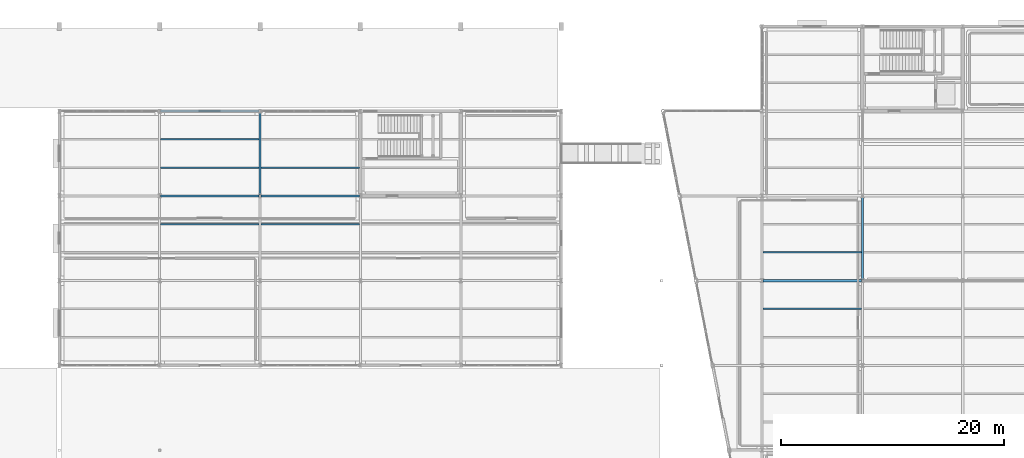
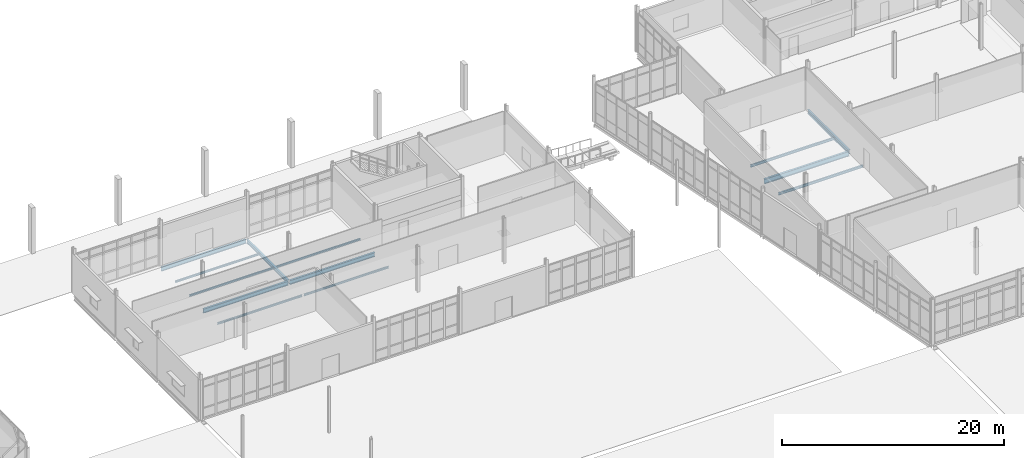
# One storey, part 90 of 161: 13 beams.
"""IFC4 building model written with IfcOpenShell, lengths in metres."""

from ifc_helpers import new_model, si_unit, direction, frame, origin, origin_2d, place, context, subcontext, project, spatial, i_section, extrude, material, material_profile, profile_set, type_object, element, save


model = new_model("IFC4")

# Units and contexts
model_context = context("Model", 3, precision=1e-05, world=origin(), true_north=direction((0.0, 1.0)))
body_context = subcontext(model_context, "Body", "Model", "MODEL_VIEW")
ifc_project = project(units=[si_unit("LENGTHUNIT", "METRE"), si_unit("AREAUNIT", "SQUARE_METRE"), si_unit("VOLUMEUNIT", "CUBIC_METRE"), si_unit("PLANEANGLEUNIT", "RADIAN"), si_unit("MASSUNIT", "GRAM", prefix="KILO")], contexts=[model_context])

# Site, building, storey
site_placement = place(None, origin())
site = spatial("IfcSite", under=ifc_project, at=site_placement, CompositionType="ELEMENT")
building_placement = place(site_placement, origin())
building = spatial("IfcBuilding", under=site, at=building_placement, Name="Caisbarro Railhouse Central Library", CompositionType="ELEMENT")
storey_placement = place(building_placement, origin())
storey = spatial("IfcBuildingStorey", under=building, at=storey_placement, Name="L00", CompositionType="ELEMENT", Elevation=0.0)

# Beams
ifc_material = material(Name="Steel ASTM A572 Grade 50", Category="steel")
ifc_material_profile_1 = material_profile(ifc_material, i_section(OverallWidth=0.208984375, OverallDepth=0.532958984375, WebThickness=0.01025390625, FlangeThickness=0.015625, FilletRadius=0.02001953125, at=origin_2d()), Name="W530X92.0")
ifc_profile_set_1 = profile_set([ifc_material_profile_1], Name="Steel ASTM A572 Grade 50")
beam_type_1 = type_object("IfcBeamType", Name="BM-G06", PredefinedType="BEAM", material=ifc_profile_set_1)
beam_1_placement = place(storey_placement, frame((117.080078125, 91.199951171875, -0.5166015625), z_axis=(1.0, 0.0, 0.0), x_axis=(0.0, 1.0, 0.0)))
element("IfcBeam", 1, at=beam_1_placement, inside=storey, type_object=beam_type_1, Name="G06 beam L00 #506", PredefinedType="BEAM", context=body_context, shape_type="SweptSolid", body=[
    extrude(i_section(OverallWidth=0.208984375, OverallDepth=0.532958984375, WebThickness=0.01025390625, FlangeThickness=0.015625, FilletRadius=0.02001953125, at=origin_2d()), origin(), (0.0, 0.0, 1.0), 8.83984375),
])
ifc_material_profile_2 = material_profile(ifc_material, i_section(OverallWidth=0.18994140625, OverallDepth=0.45703125, WebThickness=0.009033203125, FlangeThickness=0.014404296875, FilletRadius=0.01806640625, at=origin_2d()), Name="W460X74.0")
ifc_profile_set_2 = profile_set([ifc_material_profile_2], Name="Steel ASTM A572 Grade 50")
beam_type_2 = type_object("IfcBeamType", Name="BM-G08", PredefinedType="BEAM", material=ifc_profile_set_2)
beam_2_placement = place(storey_placement, frame((126.0, 91.280029296875, -0.478515625), z_axis=(0.0, 1.0, 0.0), x_axis=(-1.0, 0.0, 0.0)))
element("IfcBeam", 2, at=beam_2_placement, inside=storey, type_object=beam_type_2, Name="G08 beam L00 #533", PredefinedType="BEAM", context=body_context, shape_type="SweptSolid", body=[
    extrude(i_section(OverallWidth=0.18994140625, OverallDepth=0.45703125, WebThickness=0.009033203125, FlangeThickness=0.014404296875, FilletRadius=0.01806640625, at=origin_2d()), origin(), (0.0, 0.0, 1.0), 7.43994140625),
])
for number, where, z_axis, x_axis, name in (
    (3, (63.080078125, 98.800048828125, -0.478515625), (1.0, 0.0, 0.0), (0.0, 1.0, 0.0), "G08 beam L00 #624"),
    (4, (72.080078125, 98.800048828125, -0.478515625), (1.0, 0.0, 0.0), (0.0, 1.0, 0.0), "G08 beam L00 #625"),
):
    element("IfcBeam", number, at=place(storey_placement, frame(where, z_axis=z_axis, x_axis=x_axis)), inside=storey, type_object=beam_type_2, Name=name, PredefinedType="BEAM", context=body_context, shape_type="SweptSolid", body=[
        extrude(i_section(OverallWidth=0.18994140625, OverallDepth=0.45703125, WebThickness=0.009033203125, FlangeThickness=0.014404296875, FilletRadius=0.01806640625, at=origin_2d()), origin(), (0.0, 0.0, 1.0), 8.83984375),
    ])
ifc_material_profile_3 = material_profile(ifc_material, i_section(OverallWidth=0.177978515625, OverallDepth=0.406982421875, WebThickness=0.0078125, FlangeThickness=0.0126953125, FilletRadius=0.01611328125, at=origin_2d()), Name="W410X60.0")
ifc_profile_set_3 = profile_set([ifc_material_profile_3], Name="Steel ASTM A572 Grade 50")
beam_type_3 = type_object("IfcBeamType", Name="BM-G10", PredefinedType="BEAM", material=ifc_profile_set_3)
beam_3_placement = place(storey_placement, frame((72.0, 98.8798828125, -0.45361328125), z_axis=(0.0, 1.0, 0.0), x_axis=(-1.0, 0.0, 0.0)))
element("IfcBeam", 5, at=beam_3_placement, inside=storey, type_object=beam_type_3, Name="G10 beam L00 #641", PredefinedType="BEAM", context=body_context, shape_type="SweptSolid", body=[
    extrude(i_section(OverallWidth=0.177978515625, OverallDepth=0.406982421875, WebThickness=0.0078125, FlangeThickness=0.0126953125, FilletRadius=0.01611328125, at=origin_2d()), origin(), (0.0, 0.0, 1.0), 7.440185546875),
])
ifc_material_profile_4 = material_profile(ifc_material, i_section(OverallWidth=0.14794921875, OverallDepth=0.26611328125, WebThickness=0.007568359375, FlangeThickness=0.012939453125, FilletRadius=0.010009765625, at=origin_2d()), Name="W250X44.8")
ifc_profile_set_4 = profile_set([ifc_material_profile_4], Name="Steel ASTM A572 Grade 50")
beam_type_4 = type_object("IfcBeamType", Name="BM-J04", PredefinedType="JOIST", material=ifc_profile_set_4)
for number, where, z_axis, x_axis, name in (
    (6, (117.094970703125, 88.666748046875, -0.383056640625), (1.0, 0.0, 0.0), (0.0, 1.0, 0.0), "J04 beam L00 #564"),
    (7, (117.094970703125, 93.7333984375, -0.383056640625), (1.0, 0.0, 0.0), (0.0, 1.0, 0.0), "J04 beam L00 #565"),
):
    element("IfcBeam", number, at=place(storey_placement, frame(where, z_axis=z_axis, x_axis=x_axis)), inside=storey, type_object=beam_type_4, Name=name, PredefinedType="JOIST", context=body_context, shape_type="SweptSolid", body=[
        extrude(i_section(OverallWidth=0.14794921875, OverallDepth=0.26611328125, WebThickness=0.007568359375, FlangeThickness=0.012939453125, FilletRadius=0.010009765625, at=origin_2d()), origin(), (0.0, 0.0, 1.0), 8.81005859375),
    ])
ifc_material_profile_5 = material_profile(ifc_material, i_section(OverallWidth=0.133056640625, OverallDepth=0.20703125, WebThickness=0.005859375, FlangeThickness=0.00830078125, FilletRadius=0.010009765625, at=origin_2d()), Name="W200X26.6")
ifc_profile_set_5 = profile_set([ifc_material_profile_5], Name="Steel ASTM A572 Grade 50")
beam_type_5 = type_object("IfcBeamType", Name="BM-J07", PredefinedType="JOIST", material=ifc_profile_set_5)
for number, where, z_axis, x_axis, name in (
    (8, (63.089111328125, 96.2666015625, -0.353515625), (1.0, 0.0, 0.0), (0.0, 1.0, 0.0), "J07 beam L00 #660"),
    (9, (63.089111328125, 101.333251953125, -0.353515625), (1.0, 0.0, 0.0), (0.0, 1.0, 0.0), "J07 beam L00 #661"),
    (10, (63.089111328125, 103.86669921875, -0.353515625), (1.0, 0.0, 0.0), (0.0, 1.0, 0.0), "J07 beam L00 #662"),
    (11, (72.089111328125, 96.2666015625, -0.353515625), (1.0, 0.0, 0.0), (0.0, 1.0, 0.0), "J07 beam L00 #666"),
    (12, (72.089111328125, 101.333251953125, -0.353515625), (1.0, 0.0, 0.0), (0.0, 1.0, 0.0), "J07 beam L00 #667"),
):
    element("IfcBeam", number, at=place(storey_placement, frame(where, z_axis=z_axis, x_axis=x_axis)), inside=storey, type_object=beam_type_5, Name=name, PredefinedType="JOIST", context=body_context, shape_type="SweptSolid", body=[
        extrude(i_section(OverallWidth=0.133056640625, OverallDepth=0.20703125, WebThickness=0.005859375, FlangeThickness=0.00830078125, FilletRadius=0.010009765625, at=origin_2d()), origin(), (0.0, 0.0, 1.0), 8.82177734375),
    ])
ifc_material_profile_6 = material_profile(ifc_material, i_section(OverallWidth=0.18994140625, OverallDepth=0.45703125, WebThickness=0.009033203125, FlangeThickness=0.014404296875, FilletRadius=0.01806640625, at=origin_2d()), Name="W460X74.0")
ifc_profile_set_6 = profile_set([ifc_material_profile_6], Name="Steel ASTM A572 Grade 50")
beam_type_6 = type_object("IfcBeamType", Name="BM-SP01", PredefinedType="SPANDREL", material=ifc_profile_set_6)
beam_4_placement = place(storey_placement, frame((63.080078125, 106.39990234375, -0.478515625), z_axis=(1.0, 0.0, 0.0), x_axis=(0.0, 1.0, 0.0)))
element("IfcBeam", 13, at=beam_4_placement, inside=storey, type_object=beam_type_6, Name="SP01 beam L00 #629", PredefinedType="SPANDREL", context=body_context, shape_type="SweptSolid", body=[
    extrude(i_section(OverallWidth=0.18994140625, OverallDepth=0.45703125, WebThickness=0.009033203125, FlangeThickness=0.014404296875, FilletRadius=0.01806640625, at=origin_2d()), origin(), (0.0, 0.0, 1.0), 8.83984375),
])

save(model, "model.ifc")
